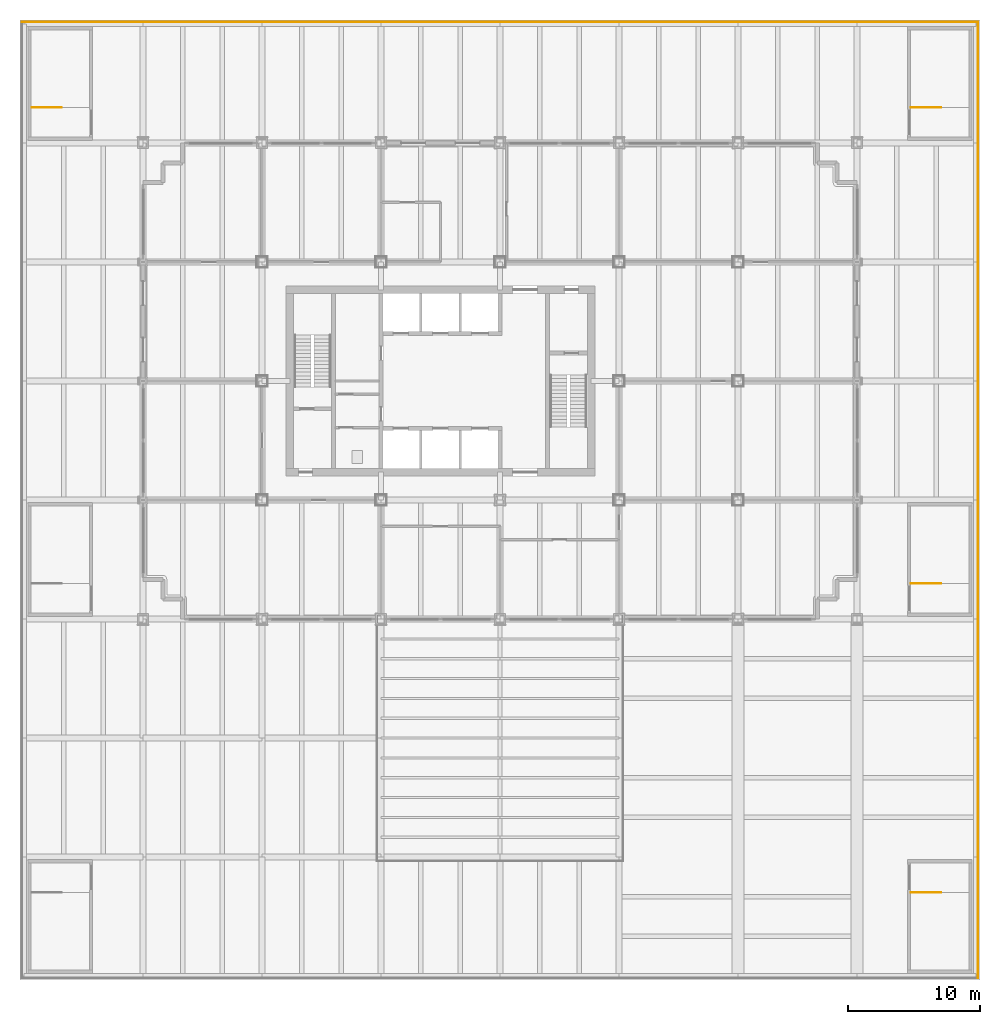
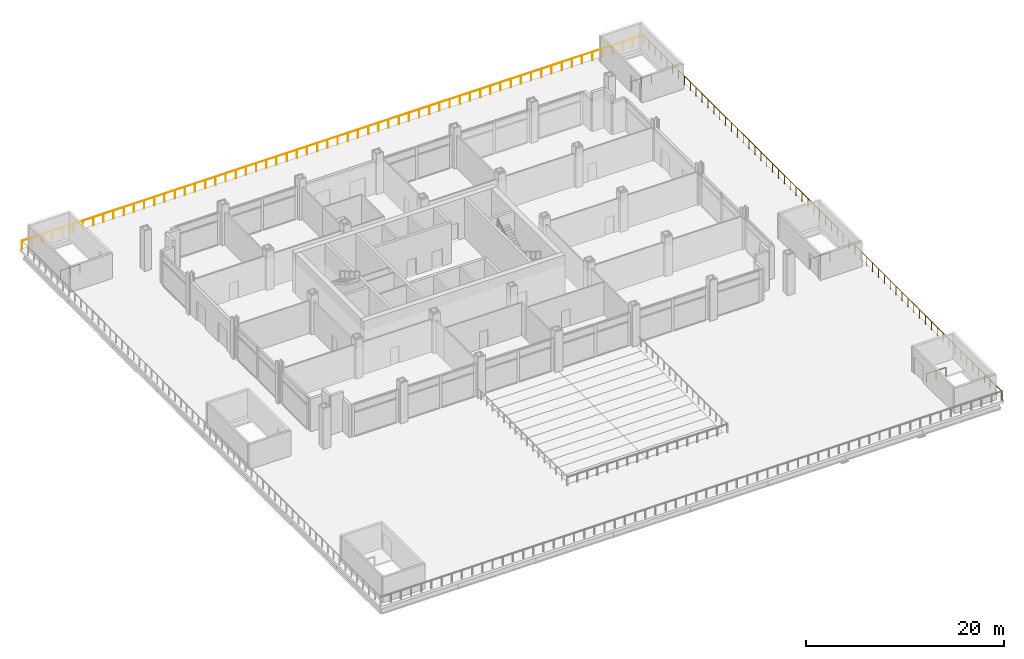
# One storey, part 15 of 16: 6 railings.
"""IFC4 building model written with IfcOpenShell, lengths in metres."""

from ifc_helpers import new_model, si_unit, direction, frame, origin, origin_2d, place, context, subcontext, project, spatial, circle, extrude, material, type_object, element, save


model = new_model("IFC4")

# Units and contexts
model_context = context("Model", 3, precision=1e-05, world=origin(), true_north=direction((0.0, 1.0)))
body_context = subcontext(model_context, "Body", "Model", "MODEL_VIEW")
ifc_project = project(units=[si_unit("LENGTHUNIT", "METRE"), si_unit("AREAUNIT", "SQUARE_METRE"), si_unit("VOLUMEUNIT", "CUBIC_METRE"), si_unit("PLANEANGLEUNIT", "RADIAN"), si_unit("MASSUNIT", "GRAM", prefix="KILO")], contexts=[model_context])

# Site, building, storey
site_placement = place(None, origin())
site = spatial("IfcSite", under=ifc_project, at=site_placement, CompositionType="ELEMENT")
building_placement = place(site_placement, origin())
building = spatial("IfcBuilding", under=site, at=building_placement, Name="Loomwork Tower", CompositionType="ELEMENT")
storey_placement = place(building_placement, frame((0.0, 0.0, 23.0)))
storey = spatial("IfcBuildingStorey", under=building, at=storey_placement, Name="L04", CompositionType="ELEMENT", Elevation=23.0)

# Railings
ifc_material = material(Name="Stainless steel and laminated glass guard", Category="steel")
railing_type = type_object("IfcRailingType", Name="Guard 1100", PredefinedType="GUARDRAIL", material=ifc_material)
railing_1_placement = place(storey_placement, frame((63.14990234375, -27.14990234375, 0.0)))
element("IfcRailing", 1, at=railing_1_placement, inside=storey, type_object=railing_type, Name="Terrace edge guard E", PredefinedType="GUARDRAIL", context=body_context, shape_type="SweptSolid", body=[
    extrude(circle(Radius=0.02392578125, at=origin_2d()), frame((0.0, 0.0, 1.076171875), z_axis=(0.0, 1.0, 0.0), x_axis=(-1.0, 0.0, 0.0)), (0.0, 0.0, 1.0), 72.2998046875),
    extrude(circle(Radius=0.02099609375, at=origin_2d()), origin(), (0.0, 0.0, 1.0), 1.052001953125),
    extrude(circle(Radius=0.02099609375, at=origin_2d()), frame((0.0, 1.185302734375, 0.0)), (0.0, 0.0, 1.0), 1.052001953125),
    extrude(circle(Radius=0.02099609375, at=origin_2d()), frame((0.0, 2.37060546875, 0.0)), (0.0, 0.0, 1.0), 1.052001953125),
    extrude(circle(Radius=0.02099609375, at=origin_2d()), frame((0.0, 3.5556640625, 0.0)), (0.0, 0.0, 1.0), 1.052001953125),
    extrude(circle(Radius=0.02099609375, at=origin_2d()), frame((0.0, 4.740966796875, 0.0)), (0.0, 0.0, 1.0), 1.052001953125),
    extrude(circle(Radius=0.02099609375, at=origin_2d()), frame((0.0, 5.92626953125, 0.0)), (0.0, 0.0, 1.0), 1.052001953125),
    extrude(circle(Radius=0.02099609375, at=origin_2d()), frame((0.0, 7.111572265625, 0.0)), (0.0, 0.0, 1.0), 1.052001953125),
    extrude(circle(Radius=0.02099609375, at=origin_2d()), frame((0.0, 8.296630859375, 0.0)), (0.0, 0.0, 1.0), 1.052001953125),
    extrude(circle(Radius=0.02099609375, at=origin_2d()), frame((0.0, 9.48193359375, 0.0)), (0.0, 0.0, 1.0), 1.052001953125),
    extrude(circle(Radius=0.02099609375, at=origin_2d()), frame((0.0, 10.667236328125, 0.0)), (0.0, 0.0, 1.0), 1.052001953125),
    extrude(circle(Radius=0.02099609375, at=origin_2d()), frame((0.0, 11.8525390625, 0.0)), (0.0, 0.0, 1.0), 1.052001953125),
    extrude(circle(Radius=0.02099609375, at=origin_2d()), frame((0.0, 13.03759765625, 0.0)), (0.0, 0.0, 1.0), 1.052001953125),
    extrude(circle(Radius=0.02099609375, at=origin_2d()), frame((0.0, 14.222900390625, 0.0)), (0.0, 0.0, 1.0), 1.052001953125),
    extrude(circle(Radius=0.02099609375, at=origin_2d()), frame((0.0, 15.408203125, 0.0)), (0.0, 0.0, 1.0), 1.052001953125),
    extrude(circle(Radius=0.02099609375, at=origin_2d()), frame((0.0, 16.593505859375, 0.0)), (0.0, 0.0, 1.0), 1.052001953125),
    extrude(circle(Radius=0.02099609375, at=origin_2d()), frame((0.0, 17.778564453125, 0.0)), (0.0, 0.0, 1.0), 1.052001953125),
    extrude(circle(Radius=0.02099609375, at=origin_2d()), frame((0.0, 18.9638671875, 0.0)), (0.0, 0.0, 1.0), 1.052001953125),
    extrude(circle(Radius=0.02099609375, at=origin_2d()), frame((0.0, 20.149169921875, 0.0)), (0.0, 0.0, 1.0), 1.052001953125),
    extrude(circle(Radius=0.02099609375, at=origin_2d()), frame((0.0, 21.33447265625, 0.0)), (0.0, 0.0, 1.0), 1.052001953125),
    extrude(circle(Radius=0.02099609375, at=origin_2d()), frame((0.0, 22.51953125, 0.0)), (0.0, 0.0, 1.0), 1.052001953125),
    extrude(circle(Radius=0.02099609375, at=origin_2d()), frame((0.0, 23.704833984375, 0.0)), (0.0, 0.0, 1.0), 1.052001953125),
    extrude(circle(Radius=0.02099609375, at=origin_2d()), frame((0.0, 24.89013671875, 0.0)), (0.0, 0.0, 1.0), 1.052001953125),
    extrude(circle(Radius=0.02099609375, at=origin_2d()), frame((0.0, 26.075439453125, 0.0)), (0.0, 0.0, 1.0), 1.052001953125),
    extrude(circle(Radius=0.02099609375, at=origin_2d()), frame((0.0, 27.260498046875, 0.0)), (0.0, 0.0, 1.0), 1.052001953125),
    extrude(circle(Radius=0.02099609375, at=origin_2d()), frame((0.0, 28.44580078125, 0.0)), (0.0, 0.0, 1.0), 1.052001953125),
    extrude(circle(Radius=0.02099609375, at=origin_2d()), frame((0.0, 29.631103515625, 0.0)), (0.0, 0.0, 1.0), 1.052001953125),
    extrude(circle(Radius=0.02099609375, at=origin_2d()), frame((0.0, 30.81640625, 0.0)), (0.0, 0.0, 1.0), 1.052001953125),
    extrude(circle(Radius=0.02099609375, at=origin_2d()), frame((0.0, 32.00146484375, 0.0)), (0.0, 0.0, 1.0), 1.052001953125),
    extrude(circle(Radius=0.02099609375, at=origin_2d()), frame((0.0, 33.186767578125, 0.0)), (0.0, 0.0, 1.0), 1.052001953125),
    extrude(circle(Radius=0.02099609375, at=origin_2d()), frame((0.0, 34.3720703125, 0.0)), (0.0, 0.0, 1.0), 1.052001953125),
    extrude(circle(Radius=0.02099609375, at=origin_2d()), frame((0.0, 35.557373046875, 0.0)), (0.0, 0.0, 1.0), 1.052001953125),
    extrude(circle(Radius=0.02099609375, at=origin_2d()), frame((0.0, 36.742431640625, 0.0)), (0.0, 0.0, 1.0), 1.052001953125),
    extrude(circle(Radius=0.02099609375, at=origin_2d()), frame((0.0, 37.927734375, 0.0)), (0.0, 0.0, 1.0), 1.052001953125),
    extrude(circle(Radius=0.02099609375, at=origin_2d()), frame((0.0, 39.113037109375, 0.0)), (0.0, 0.0, 1.0), 1.052001953125),
    extrude(circle(Radius=0.02099609375, at=origin_2d()), frame((0.0, 40.29833984375, 0.0)), (0.0, 0.0, 1.0), 1.052001953125),
    extrude(circle(Radius=0.02099609375, at=origin_2d()), frame((0.0, 41.4833984375, 0.0)), (0.0, 0.0, 1.0), 1.052001953125),
    extrude(circle(Radius=0.02099609375, at=origin_2d()), frame((0.0, 42.668701171875, 0.0)), (0.0, 0.0, 1.0), 1.052001953125),
    extrude(circle(Radius=0.02099609375, at=origin_2d()), frame((0.0, 43.85400390625, 0.0)), (0.0, 0.0, 1.0), 1.052001953125),
    extrude(circle(Radius=0.02099609375, at=origin_2d()), frame((0.0, 45.039306640625, 0.0)), (0.0, 0.0, 1.0), 1.052001953125),
    extrude(circle(Radius=0.02099609375, at=origin_2d()), frame((0.0, 46.224365234375, 0.0)), (0.0, 0.0, 1.0), 1.052001953125),
    extrude(circle(Radius=0.02099609375, at=origin_2d()), frame((0.0, 47.40966796875, 0.0)), (0.0, 0.0, 1.0), 1.052001953125),
    extrude(circle(Radius=0.02099609375, at=origin_2d()), frame((0.0, 48.594970703125, 0.0)), (0.0, 0.0, 1.0), 1.052001953125),
    extrude(circle(Radius=0.02099609375, at=origin_2d()), frame((0.0, 49.7802734375, 0.0)), (0.0, 0.0, 1.0), 1.052001953125),
    extrude(circle(Radius=0.02099609375, at=origin_2d()), frame((0.0, 50.96533203125, 0.0)), (0.0, 0.0, 1.0), 1.052001953125),
    extrude(circle(Radius=0.02099609375, at=origin_2d()), frame((0.0, 52.150634765625, 0.0)), (0.0, 0.0, 1.0), 1.052001953125),
    extrude(circle(Radius=0.02099609375, at=origin_2d()), frame((0.0, 53.3359375, 0.0)), (0.0, 0.0, 1.0), 1.052001953125),
    extrude(circle(Radius=0.02099609375, at=origin_2d()), frame((0.0, 54.521240234375, 0.0)), (0.0, 0.0, 1.0), 1.052001953125),
    extrude(circle(Radius=0.02099609375, at=origin_2d()), frame((0.0, 55.706298828125, 0.0)), (0.0, 0.0, 1.0), 1.052001953125),
    extrude(circle(Radius=0.02099609375, at=origin_2d()), frame((0.0, 56.8916015625, 0.0)), (0.0, 0.0, 1.0), 1.052001953125),
    extrude(circle(Radius=0.02099609375, at=origin_2d()), frame((0.0, 58.076904296875, 0.0)), (0.0, 0.0, 1.0), 1.052001953125),
    extrude(circle(Radius=0.02099609375, at=origin_2d()), frame((0.0, 59.26220703125, 0.0)), (0.0, 0.0, 1.0), 1.052001953125),
    extrude(circle(Radius=0.02099609375, at=origin_2d()), frame((0.0, 60.447265625, 0.0)), (0.0, 0.0, 1.0), 1.052001953125),
    extrude(circle(Radius=0.02099609375, at=origin_2d()), frame((0.0, 61.632568359375, 0.0)), (0.0, 0.0, 1.0), 1.052001953125),
    extrude(circle(Radius=0.02099609375, at=origin_2d()), frame((0.0, 62.81787109375, 0.0)), (0.0, 0.0, 1.0), 1.052001953125),
    extrude(circle(Radius=0.02099609375, at=origin_2d()), frame((0.0, 64.003173828125, 0.0)), (0.0, 0.0, 1.0), 1.052001953125),
    extrude(circle(Radius=0.02099609375, at=origin_2d()), frame((0.0, 65.188232421875, 0.0)), (0.0, 0.0, 1.0), 1.052001953125),
    extrude(circle(Radius=0.02099609375, at=origin_2d()), frame((0.0, 66.37353515625, 0.0)), (0.0, 0.0, 1.0), 1.052001953125),
    extrude(circle(Radius=0.02099609375, at=origin_2d()), frame((0.0, 67.558837890625, 0.0)), (0.0, 0.0, 1.0), 1.052001953125),
    extrude(circle(Radius=0.02099609375, at=origin_2d()), frame((0.0, 68.744140625, 0.0)), (0.0, 0.0, 1.0), 1.052001953125),
    extrude(circle(Radius=0.02099609375, at=origin_2d()), frame((0.0, 69.92919921875, 0.0)), (0.0, 0.0, 1.0), 1.052001953125),
    extrude(circle(Radius=0.02099609375, at=origin_2d()), frame((0.0, 71.114501953125, 0.0)), (0.0, 0.0, 1.0), 1.052001953125),
    extrude(circle(Radius=0.02099609375, at=origin_2d()), frame((0.0, 72.2998046875, 0.0)), (0.0, 0.0, 1.0), 1.052001953125),
])
railing_2_placement = place(storey_placement, frame((63.14990234375, 45.14990234375, 0.0)))
element("IfcRailing", 2, at=railing_2_placement, inside=storey, type_object=railing_type, Name="Terrace edge guard N", PredefinedType="GUARDRAIL", context=body_context, shape_type="SweptSolid", body=[
    extrude(circle(Radius=0.02392578125, at=origin_2d()), frame((0.0, 0.0, 1.076171875), z_axis=(-1.0, 0.0, 0.0), x_axis=(0.0, -1.0, 0.0)), (0.0, 0.0, 1.0), 72.2998046875),
    extrude(circle(Radius=0.02099609375, at=origin_2d()), origin(), (0.0, 0.0, 1.0), 1.052001953125),
    extrude(circle(Radius=0.02099609375, at=origin_2d()), frame((-1.185302734375, 0.0, 0.0)), (0.0, 0.0, 1.0), 1.052001953125),
    extrude(circle(Radius=0.02099609375, at=origin_2d()), frame((-2.37060546875, 0.0, 0.0)), (0.0, 0.0, 1.0), 1.052001953125),
    extrude(circle(Radius=0.02099609375, at=origin_2d()), frame((-3.5556640625, 0.0, 0.0)), (0.0, 0.0, 1.0), 1.052001953125),
    extrude(circle(Radius=0.02099609375, at=origin_2d()), frame((-4.740966796875, 0.0, 0.0)), (0.0, 0.0, 1.0), 1.052001953125),
    extrude(circle(Radius=0.02099609375, at=origin_2d()), frame((-5.92626953125, 0.0, 0.0)), (0.0, 0.0, 1.0), 1.052001953125),
    extrude(circle(Radius=0.02099609375, at=origin_2d()), frame((-7.111572265625, 0.0, 0.0)), (0.0, 0.0, 1.0), 1.052001953125),
    extrude(circle(Radius=0.02099609375, at=origin_2d()), frame((-8.296630859375, 0.0, 0.0)), (0.0, 0.0, 1.0), 1.052001953125),
    extrude(circle(Radius=0.02099609375, at=origin_2d()), frame((-9.48193359375, 0.0, 0.0)), (0.0, 0.0, 1.0), 1.052001953125),
    extrude(circle(Radius=0.02099609375, at=origin_2d()), frame((-10.667236328125, 0.0, 0.0)), (0.0, 0.0, 1.0), 1.052001953125),
    extrude(circle(Radius=0.02099609375, at=origin_2d()), frame((-11.8525390625, 0.0, 0.0)), (0.0, 0.0, 1.0), 1.052001953125),
    extrude(circle(Radius=0.02099609375, at=origin_2d()), frame((-13.03759765625, 0.0, 0.0)), (0.0, 0.0, 1.0), 1.052001953125),
    extrude(circle(Radius=0.02099609375, at=origin_2d()), frame((-14.222900390625, 0.0, 0.0)), (0.0, 0.0, 1.0), 1.052001953125),
    extrude(circle(Radius=0.02099609375, at=origin_2d()), frame((-15.408203125, 0.0, 0.0)), (0.0, 0.0, 1.0), 1.052001953125),
    extrude(circle(Radius=0.02099609375, at=origin_2d()), frame((-16.593505859375, 0.0, 0.0)), (0.0, 0.0, 1.0), 1.052001953125),
    extrude(circle(Radius=0.02099609375, at=origin_2d()), frame((-17.778564453125, 0.0, 0.0)), (0.0, 0.0, 1.0), 1.052001953125),
    extrude(circle(Radius=0.02099609375, at=origin_2d()), frame((-18.9638671875, 0.0, 0.0)), (0.0, 0.0, 1.0), 1.052001953125),
    extrude(circle(Radius=0.02099609375, at=origin_2d()), frame((-20.149169921875, 0.0, 0.0)), (0.0, 0.0, 1.0), 1.052001953125),
    extrude(circle(Radius=0.02099609375, at=origin_2d()), frame((-21.33447265625, 0.0, 0.0)), (0.0, 0.0, 1.0), 1.052001953125),
    extrude(circle(Radius=0.02099609375, at=origin_2d()), frame((-22.51953125, 0.0, 0.0)), (0.0, 0.0, 1.0), 1.052001953125),
    extrude(circle(Radius=0.02099609375, at=origin_2d()), frame((-23.704833984375, 0.0, 0.0)), (0.0, 0.0, 1.0), 1.052001953125),
    extrude(circle(Radius=0.02099609375, at=origin_2d()), frame((-24.89013671875, 0.0, 0.0)), (0.0, 0.0, 1.0), 1.052001953125),
    extrude(circle(Radius=0.02099609375, at=origin_2d()), frame((-26.075439453125, 0.0, 0.0)), (0.0, 0.0, 1.0), 1.052001953125),
    extrude(circle(Radius=0.02099609375, at=origin_2d()), frame((-27.260498046875, 0.0, 0.0)), (0.0, 0.0, 1.0), 1.052001953125),
    extrude(circle(Radius=0.02099609375, at=origin_2d()), frame((-28.44580078125, 0.0, 0.0)), (0.0, 0.0, 1.0), 1.052001953125),
    extrude(circle(Radius=0.02099609375, at=origin_2d()), frame((-29.631103515625, 0.0, 0.0)), (0.0, 0.0, 1.0), 1.052001953125),
    extrude(circle(Radius=0.02099609375, at=origin_2d()), frame((-30.81640625, 0.0, 0.0)), (0.0, 0.0, 1.0), 1.052001953125),
    extrude(circle(Radius=0.02099609375, at=origin_2d()), frame((-32.00146484375, 0.0, 0.0)), (0.0, 0.0, 1.0), 1.052001953125),
    extrude(circle(Radius=0.02099609375, at=origin_2d()), frame((-33.186767578125, 0.0, 0.0)), (0.0, 0.0, 1.0), 1.052001953125),
    extrude(circle(Radius=0.02099609375, at=origin_2d()), frame((-34.3720703125, 0.0, 0.0)), (0.0, 0.0, 1.0), 1.052001953125),
    extrude(circle(Radius=0.02099609375, at=origin_2d()), frame((-35.557373046875, 0.0, 0.0)), (0.0, 0.0, 1.0), 1.052001953125),
    extrude(circle(Radius=0.02099609375, at=origin_2d()), frame((-36.742431640625, 0.0, 0.0)), (0.0, 0.0, 1.0), 1.052001953125),
    extrude(circle(Radius=0.02099609375, at=origin_2d()), frame((-37.927734375, 0.0, 0.0)), (0.0, 0.0, 1.0), 1.052001953125),
    extrude(circle(Radius=0.02099609375, at=origin_2d()), frame((-39.113037109375, 0.0, 0.0)), (0.0, 0.0, 1.0), 1.052001953125),
    extrude(circle(Radius=0.02099609375, at=origin_2d()), frame((-40.29833984375, 0.0, 0.0)), (0.0, 0.0, 1.0), 1.052001953125),
    extrude(circle(Radius=0.02099609375, at=origin_2d()), frame((-41.4833984375, 0.0, 0.0)), (0.0, 0.0, 1.0), 1.052001953125),
    extrude(circle(Radius=0.02099609375, at=origin_2d()), frame((-42.668701171875, 0.0, 0.0)), (0.0, 0.0, 1.0), 1.052001953125),
    extrude(circle(Radius=0.02099609375, at=origin_2d()), frame((-43.85400390625, 0.0, 0.0)), (0.0, 0.0, 1.0), 1.052001953125),
    extrude(circle(Radius=0.02099609375, at=origin_2d()), frame((-45.039306640625, 0.0, 0.0)), (0.0, 0.0, 1.0), 1.052001953125),
    extrude(circle(Radius=0.02099609375, at=origin_2d()), frame((-46.224365234375, 0.0, 0.0)), (0.0, 0.0, 1.0), 1.052001953125),
    extrude(circle(Radius=0.02099609375, at=origin_2d()), frame((-47.40966796875, 0.0, 0.0)), (0.0, 0.0, 1.0), 1.052001953125),
    extrude(circle(Radius=0.02099609375, at=origin_2d()), frame((-48.594970703125, 0.0, 0.0)), (0.0, 0.0, 1.0), 1.052001953125),
    extrude(circle(Radius=0.02099609375, at=origin_2d()), frame((-49.7802734375, 0.0, 0.0)), (0.0, 0.0, 1.0), 1.052001953125),
    extrude(circle(Radius=0.02099609375, at=origin_2d()), frame((-50.96533203125, 0.0, 0.0)), (0.0, 0.0, 1.0), 1.052001953125),
    extrude(circle(Radius=0.02099609375, at=origin_2d()), frame((-52.150634765625, 0.0, 0.0)), (0.0, 0.0, 1.0), 1.052001953125),
    extrude(circle(Radius=0.02099609375, at=origin_2d()), frame((-53.3359375, 0.0, 0.0)), (0.0, 0.0, 1.0), 1.052001953125),
    extrude(circle(Radius=0.02099609375, at=origin_2d()), frame((-54.521240234375, 0.0, 0.0)), (0.0, 0.0, 1.0), 1.052001953125),
    extrude(circle(Radius=0.02099609375, at=origin_2d()), frame((-55.706298828125, 0.0, 0.0)), (0.0, 0.0, 1.0), 1.052001953125),
    extrude(circle(Radius=0.02099609375, at=origin_2d()), frame((-56.8916015625, 0.0, 0.0)), (0.0, 0.0, 1.0), 1.052001953125),
    extrude(circle(Radius=0.02099609375, at=origin_2d()), frame((-58.076904296875, 0.0, 0.0)), (0.0, 0.0, 1.0), 1.052001953125),
    extrude(circle(Radius=0.02099609375, at=origin_2d()), frame((-59.26220703125, 0.0, 0.0)), (0.0, 0.0, 1.0), 1.052001953125),
    extrude(circle(Radius=0.02099609375, at=origin_2d()), frame((-60.447265625, 0.0, 0.0)), (0.0, 0.0, 1.0), 1.052001953125),
    extrude(circle(Radius=0.02099609375, at=origin_2d()), frame((-61.632568359375, 0.0, 0.0)), (0.0, 0.0, 1.0), 1.052001953125),
    extrude(circle(Radius=0.02099609375, at=origin_2d()), frame((-62.81787109375, 0.0, 0.0)), (0.0, 0.0, 1.0), 1.052001953125),
    extrude(circle(Radius=0.02099609375, at=origin_2d()), frame((-64.003173828125, 0.0, 0.0)), (0.0, 0.0, 1.0), 1.052001953125),
    extrude(circle(Radius=0.02099609375, at=origin_2d()), frame((-65.188232421875, 0.0, 0.0)), (0.0, 0.0, 1.0), 1.052001953125),
    extrude(circle(Radius=0.02099609375, at=origin_2d()), frame((-66.37353515625, 0.0, 0.0)), (0.0, 0.0, 1.0), 1.052001953125),
    extrude(circle(Radius=0.02099609375, at=origin_2d()), frame((-67.558837890625, 0.0, 0.0)), (0.0, 0.0, 1.0), 1.052001953125),
    extrude(circle(Radius=0.02099609375, at=origin_2d()), frame((-68.744140625, 0.0, 0.0)), (0.0, 0.0, 1.0), 1.052001953125),
    extrude(circle(Radius=0.02099609375, at=origin_2d()), frame((-69.92919921875, 0.0, 0.0)), (0.0, 0.0, 1.0), 1.052001953125),
    extrude(circle(Radius=0.02099609375, at=origin_2d()), frame((-71.114501953125, 0.0, 0.0)), (0.0, 0.0, 1.0), 1.052001953125),
    extrude(circle(Radius=0.02099609375, at=origin_2d()), frame((-72.2998046875, 0.0, 0.0)), (0.0, 0.0, 1.0), 1.052001953125),
])
for number, where, name in (
    (3, (58.10009765625, -20.679931640625, 0.0), "Stair PS2 terrace landing guard"),
    (4, (-8.39990234375, 38.679931640625, 0.0), "Stair PS3 terrace landing guard"),
    (5, (58.10009765625, 38.679931640625, 0.0), "Stair PS4 terrace landing guard"),
    (6, (58.10009765625, 2.679931640625, 0.0), "Stair PS6 terrace landing guard"),
):
    element("IfcRailing", number, at=place(storey_placement, frame(where)), inside=storey, type_object=railing_type, Name=name, PredefinedType="GUARDRAIL", context=body_context, shape_type="SweptSolid", body=[
        extrude(circle(Radius=0.02392578125, at=origin_2d()), frame((0.0, 0.0, 1.076171875), z_axis=(1.0, 0.0, 0.0), x_axis=(0.0, 1.0, 0.0)), (0.0, 0.0, 1.0), 2.25),
        extrude(circle(Radius=0.02099609375, at=origin_2d()), origin(), (0.0, 0.0, 1.0), 1.052001953125),
        extrude(circle(Radius=0.02099609375, at=origin_2d()), frame((1.125, 0.0, 0.0)), (0.0, 0.0, 1.0), 1.052001953125),
        extrude(circle(Radius=0.02099609375, at=origin_2d()), frame((2.25, 0.0, 0.0)), (0.0, 0.0, 1.0), 1.052001953125),
    ])

save(model, "model.ifc")
